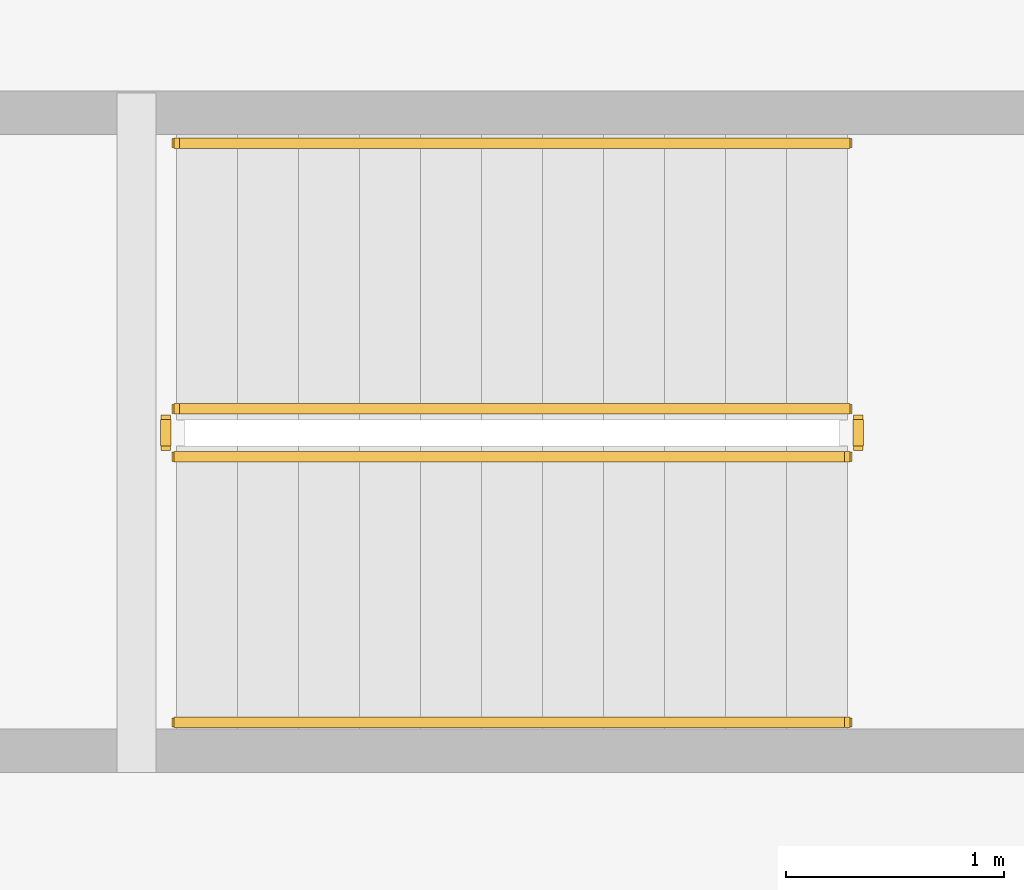
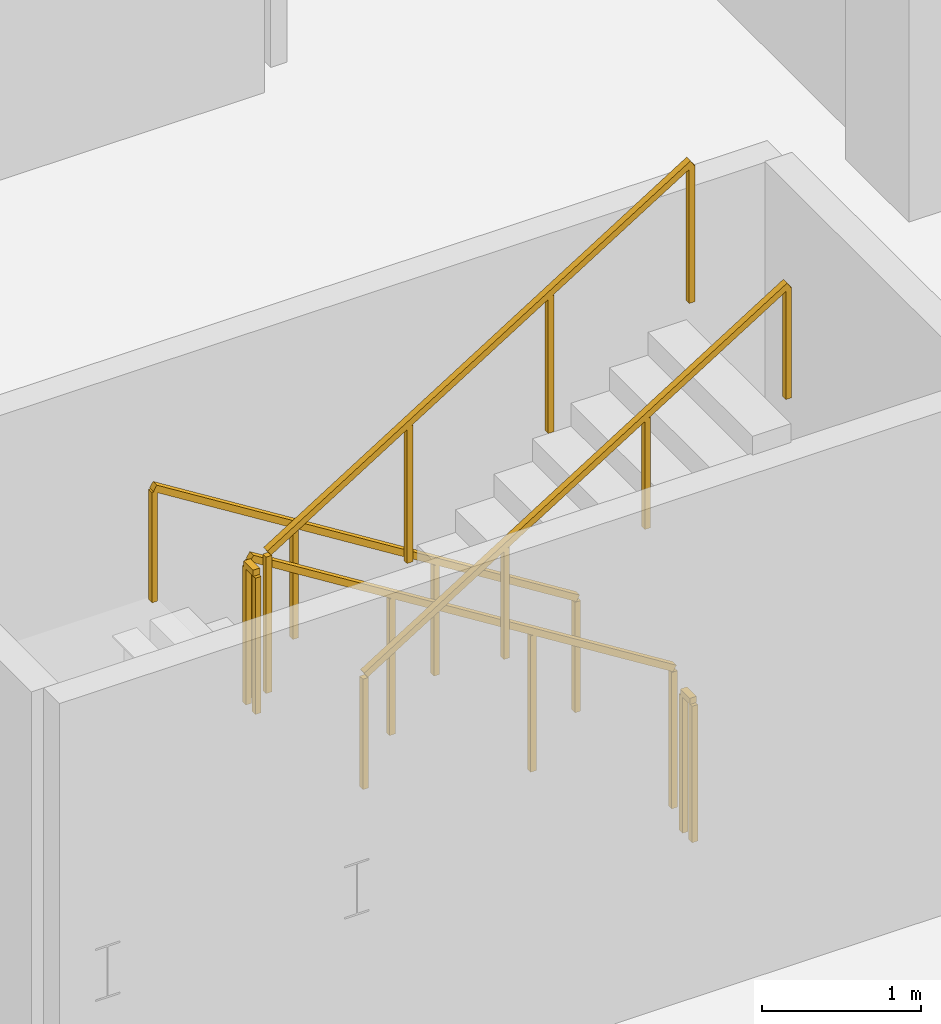
# One storey, part 17 of 21: 6 railings.
"""IFC4 building model written with IfcOpenShell, lengths in metres."""

from ifc_helpers import new_model, si_unit, direction, frame, origin, origin_2d, place, context, subcontext, project, spatial, rectangle, extrude, material, type_object, element, save


model = new_model("IFC4")

# Units and contexts
model_context = context("Model", 3, precision=1e-05, world=origin(), true_north=direction((0.0, 1.0)))
body_context = subcontext(model_context, "Body", "Model", "MODEL_VIEW")
ifc_project = project(units=[si_unit("LENGTHUNIT", "METRE"), si_unit("AREAUNIT", "SQUARE_METRE"), si_unit("VOLUMEUNIT", "CUBIC_METRE"), si_unit("PLANEANGLEUNIT", "RADIAN"), si_unit("MASSUNIT", "GRAM", prefix="KILO")], contexts=[model_context])

# Site, building, storey
site_placement = place(None, origin())
site = spatial("IfcSite", under=ifc_project, at=site_placement, CompositionType="ELEMENT")
building_placement = place(site_placement, origin())
building = spatial("IfcBuilding", under=site, at=building_placement, Name="Qhalaya Broadcast Tower", CompositionType="ELEMENT")
storey_placement = place(building_placement, frame((0.0, 0.0, 13.5)))
storey = spatial("IfcBuildingStorey", under=building, at=storey_placement, Name="L03", CompositionType="ELEMENT", Elevation=13.5)

# Railings
ifc_material = material(Name="Powder-Coated Galvanised Steel", Category="steel")
railing_type_1 = type_object("IfcRailingType", Name="Stair Wall Handrail 900", PredefinedType="HANDRAIL", material=ifc_material)
railing_1_placement = place(storey_placement, frame((-14.39990234375, -0.389892578125, 0.175048828125)))
element("IfcRailing", 1, at=railing_1_placement, inside=storey, type_object=railing_type_1, Name="L03 ST-P1 Stair Handrail 1", PredefinedType="HANDRAIL", context=body_context, shape_type="SweptSolid", body=[
    extrude(rectangle(XDim=0.048095703125, YDim=0.048095703125, at=origin_2d()), frame((0.0, 0.0, 0.8759765625), z_axis=(-0.847998304005, 0.0, 0.529998940003), x_axis=(0.0, -1.0, 0.0)), (0.0, 0.0, 1.0), 3.632080078125),
    extrude(rectangle(XDim=0.0419921875, YDim=0.0419921875, at=origin_2d()), origin(), (0.0, 0.0, 1.0), 0.849853515625),
    extrude(rectangle(XDim=0.0419921875, YDim=0.0419921875, at=origin_2d()), frame((-1.026611328125, 0.0, 0.6416015625)), (0.0, 0.0, 1.0), 0.849853515625),
    extrude(rectangle(XDim=0.0419921875, YDim=0.0419921875, at=origin_2d()), frame((-2.053466796875, 0.0, 1.283447265625)), (0.0, 0.0, 1.0), 0.849853515625),
    extrude(rectangle(XDim=0.0419921875, YDim=0.0419921875, at=origin_2d()), frame((-3.080078125, 0.0, 1.925048828125)), (0.0, 0.0, 1.0), 0.849853515625),
])
railing_2_placement = place(storey_placement, frame((-17.47998046875, -3.050048828125, 2.27490234375)))
element("IfcRailing", 2, at=railing_2_placement, inside=storey, type_object=railing_type_1, Name="L03 ST-P1 Stair Handrail 2", PredefinedType="HANDRAIL", context=body_context, shape_type="SweptSolid", body=[
    extrude(rectangle(XDim=0.048095703125, YDim=0.048095703125, at=origin_2d()), frame((0.0, 0.0, 0.8759765625), z_axis=(0.847998304005, 0.0, 0.529998940003), x_axis=(0.0, 1.0, 0.0)), (0.0, 0.0, 1.0), 3.632080078125),
    extrude(rectangle(XDim=0.0419921875, YDim=0.0419921875, at=origin_2d()), origin(), (0.0, 0.0, 1.0), 0.849853515625),
    extrude(rectangle(XDim=0.0419921875, YDim=0.0419921875, at=origin_2d()), frame((1.026611328125, 0.0, 0.6416015625)), (0.0, 0.0, 1.0), 0.849853515625),
    extrude(rectangle(XDim=0.0419921875, YDim=0.0419921875, at=origin_2d()), frame((2.053466796875, 0.0, 1.283447265625)), (0.0, 0.0, 1.0), 0.849853515625),
    extrude(rectangle(XDim=0.0419921875, YDim=0.0419921875, at=origin_2d()), frame((3.080078125, 0.0, 1.925048828125)), (0.0, 0.0, 1.0), 0.849853515625),
])
railing_type_2 = type_object("IfcRailingType", Name="Stair Well & Landing Guardrail 1100", PredefinedType="GUARDRAIL", material=ifc_material)
railing_3_placement = place(storey_placement, frame((-14.39990234375, -1.610107421875, 0.175048828125)))
element("IfcRailing", 3, at=railing_3_placement, inside=storey, type_object=railing_type_2, Name="L03 ST-P1 Stair Guard 1", PredefinedType="GUARDRAIL", context=body_context, shape_type="SweptSolid", body=[
    extrude(rectangle(XDim=0.048095703125, YDim=0.048095703125, at=origin_2d()), frame((0.0, 0.0, 1.076171875), z_axis=(-0.847998304005, 0.0, 0.529998940003), x_axis=(0.0, -1.0, 0.0)), (0.0, 0.0, 1.0), 3.632080078125),
    extrude(rectangle(XDim=0.0419921875, YDim=0.0419921875, at=origin_2d()), origin(), (0.0, 0.0, 1.0), 1.050048828125),
    extrude(rectangle(XDim=0.0419921875, YDim=0.0419921875, at=origin_2d()), frame((-1.026611328125, 0.0, 0.6416015625)), (0.0, 0.0, 1.0), 1.050048828125),
    extrude(rectangle(XDim=0.0419921875, YDim=0.0419921875, at=origin_2d()), frame((-2.053466796875, 0.0, 1.283447265625)), (0.0, 0.0, 1.0), 1.050048828125),
    extrude(rectangle(XDim=0.0419921875, YDim=0.0419921875, at=origin_2d()), frame((-3.080078125, 0.0, 1.925048828125)), (0.0, 0.0, 1.0), 1.050048828125),
])
railing_4_placement = place(storey_placement, frame((-17.530029296875, -1.659912109375, 2.10009765625)))
element("IfcRailing", 4, at=railing_4_placement, inside=storey, type_object=railing_type_2, Name="L03 ST-P1 Stair Guard 2", PredefinedType="GUARDRAIL", context=body_context, shape_type="SweptSolid", body=[
    extrude(rectangle(XDim=0.048095703125, YDim=0.048095703125, at=origin_2d()), frame((0.0, 0.0, 1.076171875), z_axis=(0.0, -1.0, 0.0), x_axis=(1.0, 0.0, 0.0)), (0.0, 0.0, 1.0), 0.1201171875),
    extrude(rectangle(XDim=0.0419921875, YDim=0.0419921875, at=origin_2d()), origin(), (0.0, 0.0, 1.0), 1.050048828125),
    extrude(rectangle(XDim=0.0419921875, YDim=0.0419921875, at=origin_2d()), frame((0.0, -0.1201171875, 0.0)), (0.0, 0.0, 1.0), 1.050048828125),
])
railing_5_placement = place(storey_placement, frame((-17.47998046875, -1.830078125, 2.27490234375)))
element("IfcRailing", 5, at=railing_5_placement, inside=storey, type_object=railing_type_2, Name="L03 ST-P1 Stair Guard 3", PredefinedType="GUARDRAIL", context=body_context, shape_type="SweptSolid", body=[
    extrude(rectangle(XDim=0.048095703125, YDim=0.048095703125, at=origin_2d()), frame((0.0, 0.0, 1.076171875), z_axis=(0.847998304005, 0.0, 0.529998940003), x_axis=(0.0, 1.0, 0.0)), (0.0, 0.0, 1.0), 3.632080078125),
    extrude(rectangle(XDim=0.0419921875, YDim=0.0419921875, at=origin_2d()), origin(), (0.0, 0.0, 1.0), 1.050048828125),
    extrude(rectangle(XDim=0.0419921875, YDim=0.0419921875, at=origin_2d()), frame((1.026611328125, 0.0, 0.6416015625)), (0.0, 0.0, 1.0), 1.050048828125),
    extrude(rectangle(XDim=0.0419921875, YDim=0.0419921875, at=origin_2d()), frame((2.053466796875, 0.0, 1.283447265625)), (0.0, 0.0, 1.0), 1.050048828125),
    extrude(rectangle(XDim=0.0419921875, YDim=0.0419921875, at=origin_2d()), frame((3.080078125, 0.0, 1.925048828125)), (0.0, 0.0, 1.0), 1.050048828125),
])
railing_6_placement = place(storey_placement, frame((-14.35009765625, -1.659912109375, 0.0)))
element("IfcRailing", 6, at=railing_6_placement, inside=storey, type_object=railing_type_2, Name="L03 ST-P1 Stair Guard 4", PredefinedType="GUARDRAIL", context=body_context, shape_type="SweptSolid", body=[
    extrude(rectangle(XDim=0.048095703125, YDim=0.048095703125, at=origin_2d()), frame((0.0, 0.0, 1.076171875), z_axis=(0.0, -1.0, 0.0), x_axis=(1.0, 0.0, 0.0)), (0.0, 0.0, 1.0), 0.1201171875),
    extrude(rectangle(XDim=0.0419921875, YDim=0.0419921875, at=origin_2d()), origin(), (0.0, 0.0, 1.0), 1.050048828125),
    extrude(rectangle(XDim=0.0419921875, YDim=0.0419921875, at=origin_2d()), frame((0.0, -0.1201171875, 0.0)), (0.0, 0.0, 1.0), 1.050048828125),
])

save(model, "model.ifc")
